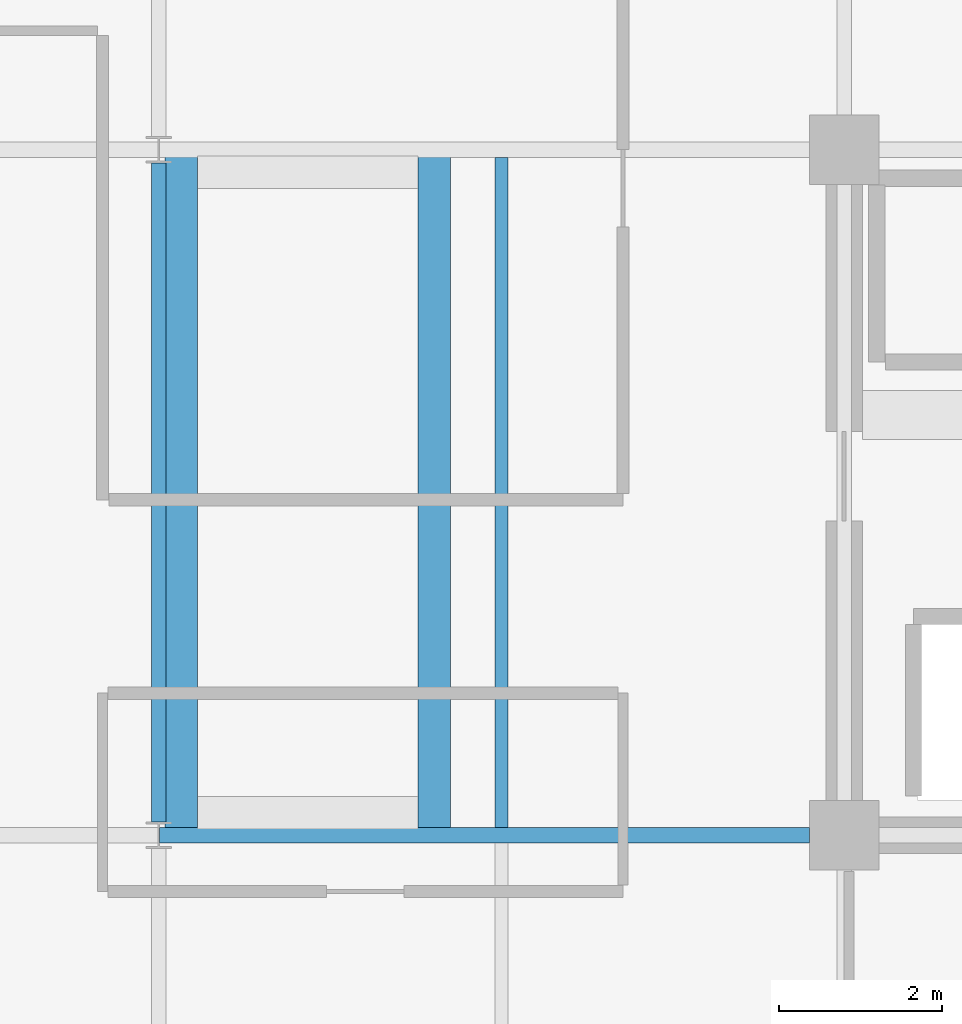
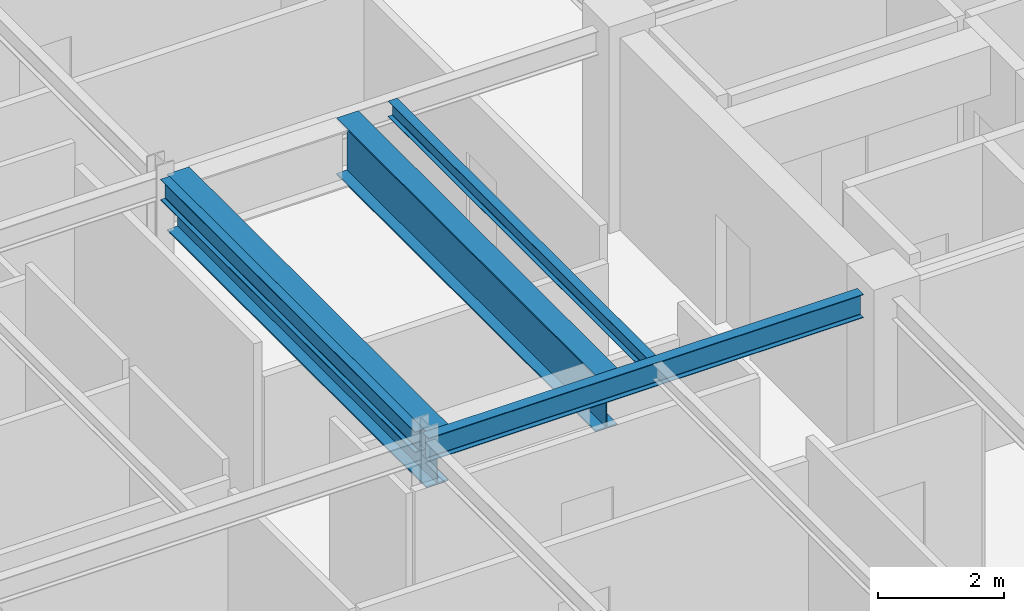
# One storey, part 6 of 25: 5 beams.
"""IFC4 building model written with IfcOpenShell, lengths in metres."""

from ifc_helpers import new_model, si_unit, direction, frame, origin, origin_2d, place, context, subcontext, project, spatial, i_section, extrude, material, material_profile, profile_set, type_object, element, save


model = new_model("IFC4")

# Units and contexts
model_context = context("Model", 3, precision=1e-05, world=origin(), true_north=direction((0.0, 1.0)))
body_context = subcontext(model_context, "Body", "Model", "MODEL_VIEW")
ifc_project = project(units=[si_unit("LENGTHUNIT", "METRE"), si_unit("AREAUNIT", "SQUARE_METRE"), si_unit("VOLUMEUNIT", "CUBIC_METRE"), si_unit("PLANEANGLEUNIT", "RADIAN"), si_unit("MASSUNIT", "GRAM", prefix="KILO")], contexts=[model_context])

# Site, building, storey
site_placement = place(None, origin())
site = spatial("IfcSite", under=ifc_project, at=site_placement, CompositionType="ELEMENT")
building_placement = place(site_placement, origin())
building = spatial("IfcBuilding", under=site, at=building_placement, Name="Nerrivon Quay Data Exchange", CompositionType="ELEMENT")
storey_placement = place(building_placement, frame((0.0, 0.0, 314.199951171875)))
storey = spatial("IfcBuildingStorey", under=building, at=storey_placement, Name="L75", CompositionType="ELEMENT", Elevation=314.199951171875)

# Beams
ifc_material = material(Name="Steel Grade 350", Category="steel")
ifc_material_profile_1 = material_profile(ifc_material, i_section(OverallWidth=0.18994140625, OverallDepth=0.4541015625, WebThickness=0.008544921875, FlangeThickness=0.0126953125, FilletRadius=0.011474609375, at=origin_2d()), Name="460UB67.1")
ifc_profile_set_1 = profile_set([ifc_material_profile_1], Name="Steel Grade 350")
beam_type_1 = type_object("IfcBeamType", Name="BM-G6-460UB67", PredefinedType="BEAM", material=ifc_profile_set_1)
beam_1_placement = place(storey_placement, frame((8.40771484375, 8.39990234375, 3.498046875), z_axis=(1.0, 0.0, 0.0), x_axis=(0.0, 1.0, 0.0)))
element("IfcBeam", 1, at=beam_1_placement, inside=storey, type_object=beam_type_1, Name="L75 EW Girder Y=8.4 (8.4..16.8)", PredefinedType="BEAM", context=body_context, shape_type="SweptSolid", body=[
    extrude(i_section(OverallWidth=0.18994140625, OverallDepth=0.4541015625, WebThickness=0.008544921875, FlangeThickness=0.0126953125, FilletRadius=0.011474609375, at=origin_2d()), origin(), (0.0, 0.0, 1.0), 7.96728515625),
])
ifc_material_profile_2 = material_profile(ifc_material, i_section(OverallWidth=0.177978515625, OverallDepth=0.406005859375, WebThickness=0.0078125, FlangeThickness=0.0126953125, FilletRadius=0.011474609375, at=origin_2d()), Name="410UB59.7")
ifc_profile_set_2 = profile_set([ifc_material_profile_2], Name="Steel Grade 350")
beam_type_2 = type_object("IfcBeamType", Name="BM-J1-410UB60", PredefinedType="JOIST", material=ifc_profile_set_2)
beam_2_placement = place(storey_placement, frame((8.39990234375, 8.5634765625, 3.52197265625), z_axis=(0.0, 1.0, 0.0), x_axis=(-1.0, 0.0, 0.0)))
element("IfcBeam", 2, at=beam_2_placement, inside=storey, type_object=beam_type_2, Name="L75 NS Girder X=8.4 (8.4..16.8)", PredefinedType="JOIST", context=body_context, shape_type="SweptSolid", body=[
    extrude(i_section(OverallWidth=0.177978515625, OverallDepth=0.406005859375, WebThickness=0.0078125, FlangeThickness=0.0126953125, FilletRadius=0.011474609375, at=origin_2d()), origin(), (0.0, 0.0, 1.0), 8.072998046875),
])
ifc_material_profile_3 = material_profile(ifc_material, i_section(OverallWidth=0.1650390625, OverallDepth=0.303955078125, WebThickness=0.006103515625, FlangeThickness=0.01025390625, FilletRadius=0.011474609375, at=origin_2d()), Name="310UB40.4")
ifc_profile_set_3 = profile_set([ifc_material_profile_3], Name="Steel Grade 350")
beam_type_3 = type_object("IfcBeamType", Name="BM-J6-310UB40", PredefinedType="JOIST", material=ifc_profile_set_3)
beam_3_placement = place(storey_placement, frame((12.60009765625, 8.4951171875, 3.572998046875), z_axis=(0.0, 1.0, 0.0), x_axis=(-1.0, 0.0, 0.0)))
element("IfcBeam", 3, at=beam_3_placement, inside=storey, type_object=beam_type_3, Name="L75 Secondary Joist X=12.6 (8.4..16.8)", PredefinedType="JOIST", context=body_context, shape_type="SweptSolid", body=[
    extrude(i_section(OverallWidth=0.1650390625, OverallDepth=0.303955078125, WebThickness=0.006103515625, FlangeThickness=0.01025390625, FilletRadius=0.011474609375, at=origin_2d()), origin(), (0.0, 0.0, 1.0), 8.2099609375),
])
ifc_material_profile_4 = material_profile(ifc_material, i_section(OverallWidth=0.39990234375, OverallDepth=1.10009765625, WebThickness=0.01611328125, FlangeThickness=0.028076171875, at=origin_2d()), Name="1100WB288")
ifc_profile_set_4 = profile_set([ifc_material_profile_4], Name="Steel Grade 350")
beam_type_4 = type_object("IfcBeamType", Name="BM-TG2-1100WB", PredefinedType="USERDEFINED", material=ifc_profile_set_4)
for number, where, z_axis, x_axis, name in (
    (4, (8.675048828125, 8.489990234375, 3.175048828125), (0.0, 1.0, 0.0), (-1.0, 0.0, 0.0), "L75 Crown Stair ST08 Transfer Girder W"),
    (5, (11.77490234375, 8.489990234375, 3.175048828125), (0.0, 1.0, 0.0), (-1.0, 0.0, 0.0), "L75 Crown Stair ST08 Transfer Girder E"),
):
    element("IfcBeam", number, at=place(storey_placement, frame(where, z_axis=z_axis, x_axis=x_axis)), inside=storey, type_object=beam_type_4, Name=name, ObjectType="TRANSFER", PredefinedType="USERDEFINED", context=body_context, shape_type="SweptSolid", body=[
        extrude(i_section(OverallWidth=0.39990234375, OverallDepth=1.10009765625, WebThickness=0.01611328125, FlangeThickness=0.028076171875, at=origin_2d()), origin(), (0.0, 0.0, 1.0), 8.219970703125),
    ])

save(model, "model.ifc")
